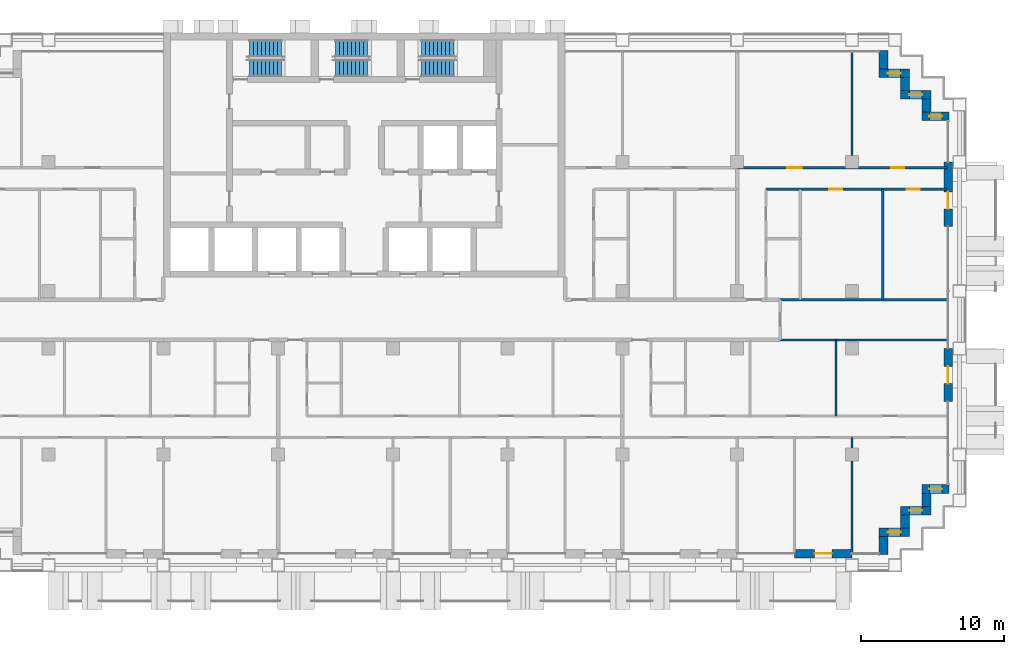
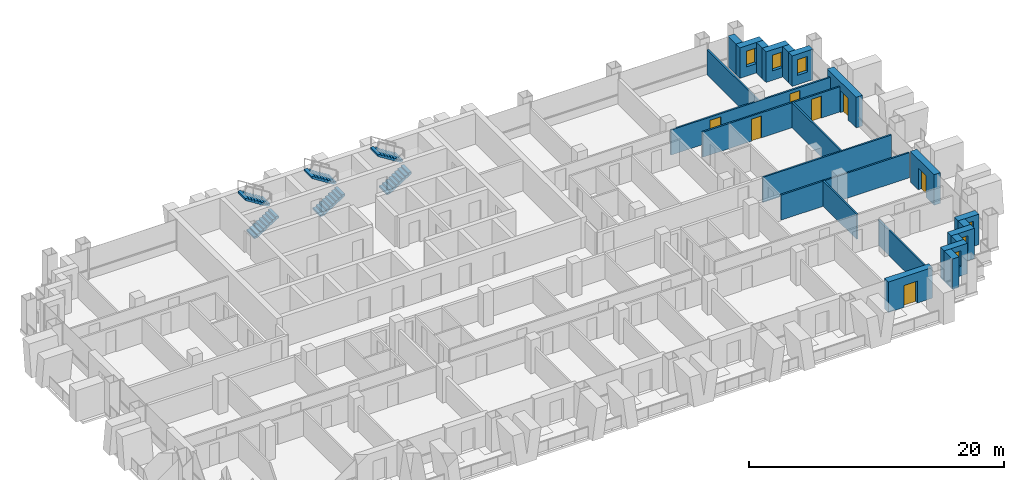
# One storey, part 13 of 17: 23 walls, 7 doors, 6 stair flights, 6 windows, 13 openings, 3 elements without a shape of their own.
"""IFC4 building model written with IfcOpenShell, lengths in metres."""

from ifc_helpers import new_model, si_unit, direction, frame, frame_2d, origin, place, context, subcontext, project, spatial, polyline, rectangle, outline, extrude, material, layer, layer_set, type_object, element, fill, aggregate, save


model = new_model("IFC4")

# Units and contexts
model_context = context("Model", 3, precision=1e-05, world=origin(), true_north=direction((0.0, 1.0)))
body_context = subcontext(model_context, "Body", "Model", "MODEL_VIEW")
ifc_project = project(units=[si_unit("LENGTHUNIT", "METRE"), si_unit("AREAUNIT", "SQUARE_METRE"), si_unit("VOLUMEUNIT", "CUBIC_METRE"), si_unit("PLANEANGLEUNIT", "RADIAN"), si_unit("MASSUNIT", "GRAM", prefix="KILO")], contexts=[model_context])

# Site, building, storey
site_placement = place(None, origin())
site = spatial("IfcSite", under=ifc_project, at=site_placement, CompositionType="ELEMENT")
building_placement = place(site_placement, origin())
building = spatial("IfcBuilding", under=site, at=building_placement, Name="Vidyagriha Tower", CompositionType="ELEMENT")
storey_placement = place(building_placement, frame((0.0, 0.0, 96.699951171875)))
storey = spatial("IfcBuildingStorey", under=building, at=storey_placement, Name="L25", CompositionType="ELEMENT", Elevation=96.699951171875)

# Wall, opening, window
ifc_material_1 = material(Name="Precast concrete C40/50 with brick facing", Category="concrete")
ifc_layer_1 = layer(ifc_material_1, 0.60009765625)
ifc_layer_set_1 = layer_set([ifc_layer_1], Name="Precast concrete C40/50 with brick facing")
wall_type_1 = type_object("IfcWallType", Name="Brick-faced precast wall 600", PredefinedType="STANDARD", material=ifc_layer_set_1)
wall_1_placement = place(storey_placement, frame((40.780029296875, 14.199951171875, 0.0), z_axis=(0.0, 0.0, 1.0), x_axis=(-1.0, 0.0, 0.0)))
wall_1 = element("IfcWall", 1, at=wall_1_placement, inside=storey, type_object=wall_type_1, Name="Stepped corner wall L25 R01", PredefinedType="STANDARD", context=body_context, shape_type="SweptSolid", body=[
    extrude(rectangle(XDim=1.880126953125, YDim=0.60009765625, at=frame_2d((0.93994140625, 0.0))), origin(), (0.0, 0.0, 1.0), 2.920166015625),
])
opening_1_placement = place(wall_1_placement, frame((0.489990234375, 0.0, 0.89990234375)))
opening_1 = element("IfcOpeningElement", 2, at=opening_1_placement, cuts=wall_1, Name="Opening WN1", PredefinedType="OPENING", context=body_context, shape_type="SweptSolid", body=[
    extrude(rectangle(XDim=0.89990234375, YDim=1.5, at=frame_2d((0.449951171875, 0.75))), frame((0.0, 0.31005859375, 0.0), z_axis=(0.0, -1.0, 0.0), x_axis=(1.0, 0.0, 0.0)), (0.0, 0.0, 1.0), 0.6201171875),
])
ifc_material_2 = material(Name="Aluminium and glass window", Category="aluminium")
window_type = type_object("IfcWindowType", Name="Reveal window 900x1500", PartitioningType="NOTDEFINED", PredefinedType="WINDOW", material=ifc_material_2)
window_1_placement = place(opening_1_placement, origin())
window_1 = element("IfcWindow", 3, at=window_1_placement, inside=storey, type_object=window_type, Name="Reveal window L25 R01", OverallHeight=1.5, OverallWidth=0.89990234375, PartitioningType="SINGLE_PANEL", PredefinedType="WINDOW", context=body_context, shape_type="SweptSolid", body=[
    extrude(rectangle(XDim=0.89990234375, YDim=1.5, at=frame_2d((0.449951171875, 0.75))), frame((0.0, 0.030029296875, 0.0), z_axis=(0.0, -1.0, 0.0), x_axis=(1.0, 0.0, 0.0)), (0.0, 0.0, 1.0), 0.06005859375),
])
fill(opening_1, window_1)

# Wall
wall_2_placement = place(storey_placement, frame((39.199951171875, 14.5, 0.0), z_axis=(0.0, 0.0, 1.0), x_axis=(0.0, 1.0, 0.0)))
element("IfcWall", 4, at=wall_2_placement, inside=storey, type_object=wall_type_1, Name="Stepped corner wall L25 R02", PredefinedType="STANDARD", context=body_context, shape_type="SweptSolid", body=[
    extrude(rectangle(XDim=0.89990234375, YDim=0.60009765625, at=frame_2d((0.449951171875, 0.0))), origin(), (0.0, 0.0, 1.0), 2.920166015625),
])

# Wall, opening, window
wall_3_placement = place(storey_placement, frame((39.5, 15.699951171875, 0.0), z_axis=(0.0, 0.0, 1.0), x_axis=(-1.0, 0.0, 0.0)))
wall_3 = element("IfcWall", 5, at=wall_3_placement, inside=storey, type_object=wall_type_1, Name="Stepped corner wall L25 R03", PredefinedType="STANDARD", context=body_context, shape_type="SweptSolid", body=[
    extrude(rectangle(XDim=2.10009765625, YDim=0.60009765625, at=frame_2d((1.050048828125, 0.0))), origin(), (0.0, 0.0, 1.0), 2.920166015625),
])
opening_2_placement = place(wall_3_placement, frame((0.60009765625, 0.0, 0.89990234375)))
opening_2 = element("IfcOpeningElement", 6, at=opening_2_placement, cuts=wall_3, Name="Opening WN1", PredefinedType="OPENING", context=body_context, shape_type="SweptSolid", body=[
    extrude(rectangle(XDim=0.89990234375, YDim=1.5, at=frame_2d((0.449951171875, 0.75))), frame((0.0, 0.31005859375, 0.0), z_axis=(0.0, -1.0, 0.0), x_axis=(1.0, 0.0, 0.0)), (0.0, 0.0, 1.0), 0.6201171875),
])
window_2_placement = place(opening_2_placement, origin())
window_2 = element("IfcWindow", 7, at=window_2_placement, inside=storey, type_object=window_type, Name="Reveal window L25 R03", OverallHeight=1.5, OverallWidth=0.89990234375, PartitioningType="SINGLE_PANEL", PredefinedType="WINDOW", context=body_context, shape_type="SweptSolid", body=[
    extrude(rectangle(XDim=0.89990234375, YDim=1.5, at=frame_2d((0.449951171875, 0.75))), frame((0.0, 0.030029296875, 0.0), z_axis=(0.0, -1.0, 0.0), x_axis=(1.0, 0.0, 0.0)), (0.0, 0.0, 1.0), 0.06005859375),
])
fill(opening_2, window_2)

# Wall
wall_4_placement = place(storey_placement, frame((37.699951171875, 16.0, 0.0), z_axis=(0.0, 0.0, 1.0), x_axis=(0.0, 1.0, 0.0)))
element("IfcWall", 8, at=wall_4_placement, inside=storey, type_object=wall_type_1, Name="Stepped corner wall L25 R04", PredefinedType="STANDARD", context=body_context, shape_type="SweptSolid", body=[
    extrude(rectangle(XDim=0.89990234375, YDim=0.60009765625, at=frame_2d((0.449951171875, 0.0))), origin(), (0.0, 0.0, 1.0), 2.920166015625),
])

# Wall, opening, window
wall_5_placement = place(storey_placement, frame((38.0, 17.199951171875, 0.0), z_axis=(0.0, 0.0, 1.0), x_axis=(-1.0, 0.0, 0.0)))
wall_5 = element("IfcWall", 9, at=wall_5_placement, inside=storey, type_object=wall_type_1, Name="Stepped corner wall L25 R05", PredefinedType="STANDARD", context=body_context, shape_type="SweptSolid", body=[
    extrude(rectangle(XDim=2.10009765625, YDim=0.60009765625, at=frame_2d((1.050048828125, 0.0))), origin(), (0.0, 0.0, 1.0), 2.920166015625),
])
opening_3_placement = place(wall_5_placement, frame((0.60009765625, 0.0, 0.89990234375)))
opening_3 = element("IfcOpeningElement", 10, at=opening_3_placement, cuts=wall_5, Name="Opening WN1", PredefinedType="OPENING", context=body_context, shape_type="SweptSolid", body=[
    extrude(rectangle(XDim=0.89990234375, YDim=1.5, at=frame_2d((0.449951171875, 0.75))), frame((0.0, 0.31005859375, 0.0), z_axis=(0.0, -1.0, 0.0), x_axis=(1.0, 0.0, 0.0)), (0.0, 0.0, 1.0), 0.6201171875),
])
window_3_placement = place(opening_3_placement, origin())
window_3 = element("IfcWindow", 11, at=window_3_placement, inside=storey, type_object=window_type, Name="Reveal window L25 R05", OverallHeight=1.5, OverallWidth=0.89990234375, PartitioningType="SINGLE_PANEL", PredefinedType="WINDOW", context=body_context, shape_type="SweptSolid", body=[
    extrude(rectangle(XDim=0.89990234375, YDim=1.5, at=frame_2d((0.449951171875, 0.75))), frame((0.0, 0.030029296875, 0.0), z_axis=(0.0, -1.0, 0.0), x_axis=(1.0, 0.0, 0.0)), (0.0, 0.0, 1.0), 0.06005859375),
])
fill(opening_3, window_3)

# Wall
wall_6_placement = place(storey_placement, frame((36.199951171875, 17.5, 0.0), z_axis=(0.0, 0.0, 1.0), x_axis=(0.0, 1.0, 0.0)))
element("IfcWall", 12, at=wall_6_placement, inside=storey, type_object=wall_type_1, Name="Stepped corner wall L25 R06", PredefinedType="STANDARD", context=body_context, shape_type="SweptSolid", body=[
    extrude(rectangle(XDim=1.280029296875, YDim=0.60009765625, at=frame_2d((0.64013671875, 0.0))), origin(), (0.0, 0.0, 1.0), 2.920166015625),
])

# Wall, opening, door
wall_7_placement = place(storey_placement, frame((30.0, -16.300048828125, 0.0)))
wall_7 = element("IfcWall", 13, at=wall_7_placement, inside=storey, type_object=wall_type_1, Name="Brick door bay wall L25 R23.15", PredefinedType="STANDARD", context=body_context, shape_type="SweptSolid", body=[
    extrude(rectangle(XDim=4.0, YDim=0.60009765625, at=frame_2d((2.0, 0.0))), origin(), (0.0, 0.0, 1.0), 2.920166015625),
])
opening_4_placement = place(wall_7_placement, frame((1.39990234375, 0.0, 0.0)))
opening_4 = element("IfcOpeningElement", 14, at=opening_4_placement, cuts=wall_7, Name="Opening D25-74", PredefinedType="OPENING", context=body_context, shape_type="SweptSolid", body=[
    extrude(rectangle(XDim=1.199951171875, YDim=2.10009765625, at=frame_2d((0.60009765625, 1.050048828125))), frame((0.0, 0.31005859375, 0.0), z_axis=(0.0, -1.0, 0.0), x_axis=(1.0, 0.0, 0.0)), (0.0, 0.0, 1.0), 0.6201171875),
])
ifc_material_3 = material(Name="Aluminium framed glazed sliding door", Category="aluminium")
door_type_1 = type_object("IfcDoorType", Name="Balcony sliding door 1200x2100", OperationType="NOTDEFINED", PredefinedType="DOOR", material=ifc_material_3)
door_1_placement = place(opening_4_placement, origin())
door_1 = element("IfcDoor", 15, at=door_1_placement, inside=storey, type_object=door_type_1, Name="Door D25-74", OperationType="SLIDING_TO_LEFT", OverallHeight=2.10009765625, OverallWidth=1.199951171875, PredefinedType="DOOR", context=body_context, shape_type="SweptSolid", body=[
    extrude(rectangle(XDim=1.199951171875, YDim=2.10009765625, at=frame_2d((0.60009765625, 1.050048828125))), frame((0.0, 0.02490234375, 0.0), z_axis=(0.0, -1.0, 0.0), x_axis=(1.0, 0.0, 0.0)), (0.0, 0.0, 1.0), 0.050048828125),
])
fill(opening_4, door_1)

# Wall
wall_8_placement = place(storey_placement, frame((36.199951171875, -16.3798828125, 0.0), z_axis=(0.0, 0.0, 1.0), x_axis=(0.0, 1.0, 0.0)))
element("IfcWall", 16, at=wall_8_placement, inside=storey, type_object=wall_type_1, Name="Stepped corner wall L25 R24", PredefinedType="STANDARD", context=body_context, shape_type="SweptSolid", body=[
    extrude(rectangle(XDim=1.27978515625, YDim=0.60009765625, at=frame_2d((0.639892578125, 0.0))), origin(), (0.0, 0.0, 1.0), 2.920166015625),
])

# Wall, opening, window
wall_9_placement = place(storey_placement, frame((35.89990234375, -14.800048828125, 0.0)))
wall_9 = element("IfcWall", 17, at=wall_9_placement, inside=storey, type_object=wall_type_1, Name="Stepped corner wall L25 R25", PredefinedType="STANDARD", context=body_context, shape_type="SweptSolid", body=[
    extrude(rectangle(XDim=2.10009765625, YDim=0.60009765625, at=frame_2d((1.050048828125, 0.0))), origin(), (0.0, 0.0, 1.0), 2.920166015625),
])
opening_5_placement = place(wall_9_placement, frame((0.60009765625, 0.0, 0.89990234375)))
opening_5 = element("IfcOpeningElement", 18, at=opening_5_placement, cuts=wall_9, Name="Opening WN1", PredefinedType="OPENING", context=body_context, shape_type="SweptSolid", body=[
    extrude(rectangle(XDim=0.89990234375, YDim=1.5, at=frame_2d((0.449951171875, 0.75))), frame((0.0, 0.31005859375, 0.0), z_axis=(0.0, -1.0, 0.0), x_axis=(1.0, 0.0, 0.0)), (0.0, 0.0, 1.0), 0.6201171875),
])
window_4_placement = place(opening_5_placement, origin())
window_4 = element("IfcWindow", 19, at=window_4_placement, inside=storey, type_object=window_type, Name="Reveal window L25 R25", OverallHeight=1.5, OverallWidth=0.89990234375, PartitioningType="SINGLE_PANEL", PredefinedType="WINDOW", context=body_context, shape_type="SweptSolid", body=[
    extrude(rectangle(XDim=0.89990234375, YDim=1.5, at=frame_2d((0.449951171875, 0.75))), frame((0.0, 0.030029296875, 0.0), z_axis=(0.0, -1.0, 0.0), x_axis=(1.0, 0.0, 0.0)), (0.0, 0.0, 1.0), 0.06005859375),
])
fill(opening_5, window_4)

# Wall
wall_10_placement = place(storey_placement, frame((37.699951171875, -14.5, 0.0), z_axis=(0.0, 0.0, 1.0), x_axis=(0.0, 1.0, 0.0)))
element("IfcWall", 20, at=wall_10_placement, inside=storey, type_object=wall_type_1, Name="Stepped corner wall L25 R26", PredefinedType="STANDARD", context=body_context, shape_type="SweptSolid", body=[
    extrude(rectangle(XDim=0.89990234375, YDim=0.60009765625, at=frame_2d((0.449951171875, 0.0))), origin(), (0.0, 0.0, 1.0), 2.920166015625),
])

# Wall, opening, window
wall_11_placement = place(storey_placement, frame((37.39990234375, -13.300048828125, 0.0)))
wall_11 = element("IfcWall", 21, at=wall_11_placement, inside=storey, type_object=wall_type_1, Name="Stepped corner wall L25 R27", PredefinedType="STANDARD", context=body_context, shape_type="SweptSolid", body=[
    extrude(rectangle(XDim=2.10009765625, YDim=0.60009765625, at=frame_2d((1.050048828125, 0.0))), origin(), (0.0, 0.0, 1.0), 2.920166015625),
])
opening_6_placement = place(wall_11_placement, frame((0.60009765625, 0.0, 0.89990234375)))
opening_6 = element("IfcOpeningElement", 22, at=opening_6_placement, cuts=wall_11, Name="Opening WN1", PredefinedType="OPENING", context=body_context, shape_type="SweptSolid", body=[
    extrude(rectangle(XDim=0.89990234375, YDim=1.5, at=frame_2d((0.449951171875, 0.75))), frame((0.0, 0.31005859375, 0.0), z_axis=(0.0, -1.0, 0.0), x_axis=(1.0, 0.0, 0.0)), (0.0, 0.0, 1.0), 0.6201171875),
])
window_5_placement = place(opening_6_placement, origin())
window_5 = element("IfcWindow", 23, at=window_5_placement, inside=storey, type_object=window_type, Name="Reveal window L25 R27", OverallHeight=1.5, OverallWidth=0.89990234375, PartitioningType="SINGLE_PANEL", PredefinedType="WINDOW", context=body_context, shape_type="SweptSolid", body=[
    extrude(rectangle(XDim=0.89990234375, YDim=1.5, at=frame_2d((0.449951171875, 0.75))), frame((0.0, 0.030029296875, 0.0), z_axis=(0.0, -1.0, 0.0), x_axis=(1.0, 0.0, 0.0)), (0.0, 0.0, 1.0), 0.06005859375),
])
fill(opening_6, window_5)

# Wall
wall_12_placement = place(storey_placement, frame((39.199951171875, -13.0, 0.0), z_axis=(0.0, 0.0, 1.0), x_axis=(0.0, 1.0, 0.0)))
element("IfcWall", 24, at=wall_12_placement, inside=storey, type_object=wall_type_1, Name="Stepped corner wall L25 R28", PredefinedType="STANDARD", context=body_context, shape_type="SweptSolid", body=[
    extrude(rectangle(XDim=0.89990234375, YDim=0.60009765625, at=frame_2d((0.449951171875, 0.0))), origin(), (0.0, 0.0, 1.0), 2.920166015625),
])

# Wall, opening, window
wall_13_placement = place(storey_placement, frame((38.89990234375, -11.800048828125, 0.0)))
wall_13 = element("IfcWall", 25, at=wall_13_placement, inside=storey, type_object=wall_type_1, Name="Stepped corner wall L25 R29", PredefinedType="STANDARD", context=body_context, shape_type="SweptSolid", body=[
    extrude(rectangle(XDim=1.880126953125, YDim=0.60009765625, at=frame_2d((0.93994140625, 0.0))), origin(), (0.0, 0.0, 1.0), 2.920166015625),
])
opening_7_placement = place(wall_13_placement, frame((0.489990234375, 0.0, 0.89990234375)))
opening_7 = element("IfcOpeningElement", 26, at=opening_7_placement, cuts=wall_13, Name="Opening WN1", PredefinedType="OPENING", context=body_context, shape_type="SweptSolid", body=[
    extrude(rectangle(XDim=0.89990234375, YDim=1.5, at=frame_2d((0.449951171875, 0.75))), frame((0.0, 0.31005859375, 0.0), z_axis=(0.0, -1.0, 0.0), x_axis=(1.0, 0.0, 0.0)), (0.0, 0.0, 1.0), 0.6201171875),
])
window_6_placement = place(opening_7_placement, origin())
window_6 = element("IfcWindow", 27, at=window_6_placement, inside=storey, type_object=window_type, Name="Reveal window L25 R29", OverallHeight=1.5, OverallWidth=0.89990234375, PartitioningType="SINGLE_PANEL", PredefinedType="WINDOW", context=body_context, shape_type="SweptSolid", body=[
    extrude(rectangle(XDim=0.89990234375, YDim=1.5, at=frame_2d((0.449951171875, 0.75))), frame((0.0, 0.030029296875, 0.0), z_axis=(0.0, -1.0, 0.0), x_axis=(1.0, 0.0, 0.0)), (0.0, 0.0, 1.0), 0.06005859375),
])
fill(opening_7, window_6)

# Wall, opening, door
wall_14_placement = place(storey_placement, frame((40.699951171875, -5.699951171875, 0.0), z_axis=(0.0, 0.0, 1.0), x_axis=(0.0, 1.0, 0.0)))
wall_14 = element("IfcWall", 28, at=wall_14_placement, inside=storey, type_object=wall_type_1, Name="Brick door bay wall L25 R30.3", PredefinedType="STANDARD", context=body_context, shape_type="SweptSolid", body=[
    extrude(rectangle(XDim=3.699951171875, YDim=0.60009765625, at=frame_2d((1.85009765625, 0.0))), origin(), (0.0, 0.0, 1.0), 2.920166015625),
])
opening_8_placement = place(wall_14_placement, frame((1.25, 0.0, 0.0)))
opening_8 = element("IfcOpeningElement", 29, at=opening_8_placement, cuts=wall_14, Name="Opening D25-75", PredefinedType="OPENING", context=body_context, shape_type="SweptSolid", body=[
    extrude(rectangle(XDim=1.199951171875, YDim=2.10009765625, at=frame_2d((0.60009765625, 1.050048828125))), frame((0.0, 0.31005859375, 0.0), z_axis=(0.0, -1.0, 0.0), x_axis=(1.0, 0.0, 0.0)), (0.0, 0.0, 1.0), 0.6201171875),
])
door_2_placement = place(opening_8_placement, origin())
door_2 = element("IfcDoor", 30, at=door_2_placement, inside=storey, type_object=door_type_1, Name="Door D25-75", OperationType="SLIDING_TO_LEFT", OverallHeight=2.10009765625, OverallWidth=1.199951171875, PredefinedType="DOOR", context=body_context, shape_type="SweptSolid", body=[
    extrude(rectangle(XDim=1.199951171875, YDim=2.10009765625, at=frame_2d((0.60009765625, 1.050048828125))), frame((0.0, 0.02490234375, 0.0), z_axis=(0.0, -1.0, 0.0), x_axis=(1.0, 0.0, 0.0)), (0.0, 0.0, 1.0), 0.050048828125),
])
fill(opening_8, door_2)

wall_15_placement = place(storey_placement, frame((40.699951171875, 6.5, 0.0), z_axis=(0.0, 0.0, 1.0), x_axis=(0.0, 1.0, 0.0)))
wall_15 = element("IfcWall", 31, at=wall_15_placement, inside=storey, type_object=wall_type_1, Name="Brick door bay wall L25 R30.6", PredefinedType="STANDARD", context=body_context, shape_type="SweptSolid", body=[
    extrude(rectangle(XDim=4.5, YDim=0.60009765625, at=frame_2d((2.25, 0.0))), origin(), (0.0, 0.0, 1.0), 2.920166015625),
])
opening_9_placement = place(wall_15_placement, frame((1.22509765625, 0.0, 0.0)))
opening_9 = element("IfcOpeningElement", 32, at=opening_9_placement, cuts=wall_15, Name="Opening D25-76", PredefinedType="OPENING", context=body_context, shape_type="SweptSolid", body=[
    extrude(rectangle(XDim=1.199951171875, YDim=2.10009765625, at=frame_2d((0.60009765625, 1.050048828125))), frame((0.0, 0.31005859375, 0.0), z_axis=(0.0, -1.0, 0.0), x_axis=(1.0, 0.0, 0.0)), (0.0, 0.0, 1.0), 0.6201171875),
])
door_3_placement = place(opening_9_placement, origin())
door_3 = element("IfcDoor", 33, at=door_3_placement, inside=storey, type_object=door_type_1, Name="Door D25-76", OperationType="SLIDING_TO_LEFT", OverallHeight=2.10009765625, OverallWidth=1.199951171875, PredefinedType="DOOR", context=body_context, shape_type="SweptSolid", body=[
    extrude(rectangle(XDim=1.199951171875, YDim=2.10009765625, at=frame_2d((0.60009765625, 1.050048828125))), frame((0.0, 0.02490234375, 0.0), z_axis=(0.0, -1.0, 0.0), x_axis=(1.0, 0.0, 0.0)), (0.0, 0.0, 1.0), 0.050048828125),
])
fill(opening_9, door_3)

# Walls
ifc_material_4 = material(Name="Gypsum board partition")
ifc_layer_2 = layer(ifc_material_4, 0.14990234375)
ifc_layer_set_2 = layer_set([ifc_layer_2], Name="Gypsum board partition")
wall_type_2 = type_object("IfcWallType", Name="Gypsum board partition 150", PredefinedType="PARTITIONING", material=ifc_layer_set_2)
wall_16_placement = place(storey_placement, frame((32.89990234375, -1.39990234375, 0.0), z_axis=(0.0, 0.0, 1.0), x_axis=(0.0, -1.0, 0.0)))
element("IfcWall", 34, at=wall_16_placement, inside=storey, type_object=wall_type_2, Name="Wall all-L25-w050", PredefinedType="PARTITIONING", context=body_context, shape_type="SweptSolid", body=[
    extrude(rectangle(XDim=5.300048828125, YDim=0.14990234375, at=frame_2d((2.64990234375, 0.0))), origin(), (0.0, 0.0, 1.0), 2.400146484375),
])
wall_17_placement = place(storey_placement, frame((34.0, -8.199951171875, 0.0), z_axis=(0.0, 0.0, 1.0), x_axis=(0.0, -1.0, 0.0)))
element("IfcWall", 35, at=wall_17_placement, inside=storey, type_object=wall_type_2, Name="Wall all-L25-w062", PredefinedType="PARTITIONING", context=body_context, shape_type="SweptSolid", body=[
    extrude(rectangle(XDim=8.010009765625, YDim=0.14990234375, at=frame_2d((4.0048828125, 0.0))), origin(), (0.0, 0.0, 1.0), 2.400146484375),
])
wall_18_placement = place(storey_placement, frame((40.6201171875, -1.39990234375, 0.0), z_axis=(0.0, 0.0, 1.0), x_axis=(-1.0, 0.0, 0.0)))
element("IfcWall", 36, at=wall_18_placement, inside=storey, type_object=wall_type_2, Name="Wall all-L25-w067", PredefinedType="PARTITIONING", context=body_context, shape_type="SweptSolid", body=[
    extrude(rectangle(XDim=11.6201171875, YDim=0.14990234375, at=frame_2d((5.81005859375, 0.0))), origin(), (0.0, 0.0, 1.0), 2.400146484375),
])
wall_19_placement = place(storey_placement, frame((36.14990234375, 9.10009765625, 0.0), z_axis=(0.0, 0.0, 1.0), x_axis=(0.0, -1.0, 0.0)))
element("IfcWall", 37, at=wall_19_placement, inside=storey, type_object=wall_type_2, Name="Wall all-L25-w102", PredefinedType="PARTITIONING", context=body_context, shape_type="SweptSolid", body=[
    extrude(rectangle(XDim=7.7001953125, YDim=0.14990234375, at=frame_2d((3.85009765625, 0.0))), origin(), (0.0, 0.0, 1.0), 2.400146484375),
])

# Wall, openings, doors
wall_20_placement = place(storey_placement, frame((40.610107421875, 9.10009765625, 0.0), z_axis=(0.0, 0.0, 1.0), x_axis=(-1.0, 0.0, 0.0)))
wall_20 = element("IfcWall", 38, at=wall_20_placement, inside=storey, type_object=wall_type_2, Name="Wall all-L25-w103", PredefinedType="PARTITIONING", context=body_context, shape_type="SweptSolid", body=[
    extrude(rectangle(XDim=12.610107421875, YDim=0.14990234375, at=frame_2d((6.30517578125, 0.0))), origin(), (0.0, 0.0, 1.0), 2.400146484375),
])
opening_10_placement = place(wall_20_placement, frame((7.299072265625, 0.0, 0.0)))
opening_10 = element("IfcOpeningElement", 39, at=opening_10_placement, cuts=wall_20, Name="Opening D25-60", PredefinedType="OPENING", context=body_context, shape_type="SweptSolid", body=[
    extrude(rectangle(XDim=0.89990234375, YDim=2.10009765625, at=frame_2d((0.449951171875, 1.050048828125))), frame((0.0, 0.0849609375, 0.0), z_axis=(0.0, -1.0, 0.0), x_axis=(1.0, 0.0, 0.0)), (0.0, 0.0, 1.0), 0.169921875),
])
opening_11_placement = place(wall_20_placement, frame((1.885009765625, 0.0, 0.0)))
opening_11 = element("IfcOpeningElement", 40, at=opening_11_placement, cuts=wall_20, Name="Opening D25-61", PredefinedType="OPENING", context=body_context, shape_type="SweptSolid", body=[
    extrude(rectangle(XDim=0.89990234375, YDim=2.10009765625, at=frame_2d((0.449951171875, 1.050048828125))), frame((0.0, 0.0849609375, 0.0), z_axis=(0.0, -1.0, 0.0), x_axis=(1.0, 0.0, 0.0)), (0.0, 0.0, 1.0), 0.169921875),
])
ifc_material_5 = material(Name="Timber door leaf", Category="wood")
door_type_2 = type_object("IfcDoorType", Name="Room door 900x2100", OperationType="NOTDEFINED", PredefinedType="DOOR", material=ifc_material_5)
door_4_placement = place(opening_10_placement, origin())
door_4 = element("IfcDoor", 41, at=door_4_placement, inside=storey, type_object=door_type_2, Name="Door D25-60", OperationType="SINGLE_SWING_RIGHT", OverallHeight=2.10009765625, OverallWidth=0.89990234375, PredefinedType="DOOR", context=body_context, shape_type="SweptSolid", body=[
    extrude(rectangle(XDim=0.89990234375, YDim=2.10009765625, at=frame_2d((0.449951171875, 1.050048828125))), frame((0.0, 0.02490234375, 0.0), z_axis=(0.0, -1.0, 0.0), x_axis=(1.0, 0.0, 0.0)), (0.0, 0.0, 1.0), 0.050048828125),
])
fill(opening_10, door_4)
door_5_placement = place(opening_11_placement, origin())
door_5 = element("IfcDoor", 42, at=door_5_placement, inside=storey, type_object=door_type_2, Name="Door D25-61", OperationType="SINGLE_SWING_RIGHT", OverallHeight=2.10009765625, OverallWidth=0.89990234375, PredefinedType="DOOR", context=body_context, shape_type="SweptSolid", body=[
    extrude(rectangle(XDim=0.89990234375, YDim=2.10009765625, at=frame_2d((0.449951171875, 1.050048828125))), frame((0.0, 0.02490234375, 0.0), z_axis=(0.0, -1.0, 0.0), x_axis=(1.0, 0.0, 0.0)), (0.0, 0.0, 1.0), 0.050048828125),
])
fill(opening_11, door_5)

wall_21_placement = place(storey_placement, frame((26.0, 10.60009765625, 0.0)))
wall_21 = element("IfcWall", 43, at=wall_21_placement, inside=storey, type_object=wall_type_2, Name="Wall all-L25-w106", PredefinedType="PARTITIONING", context=body_context, shape_type="SweptSolid", body=[
    extrude(rectangle(XDim=14.610107421875, YDim=0.14990234375, at=frame_2d((7.30517578125, 0.0))), origin(), (0.0, 0.0, 1.0), 2.400146484375),
])
opening_12_placement = place(wall_21_placement, frame((3.5, 0.0, 0.0)))
opening_12 = element("IfcOpeningElement", 44, at=opening_12_placement, cuts=wall_21, Name="Opening D25-62", PredefinedType="OPENING", context=body_context, shape_type="SweptSolid", body=[
    extrude(rectangle(XDim=1.0, YDim=2.10009765625, at=frame_2d((0.5, 1.050048828125))), frame((0.0, 0.0849609375, 0.0), z_axis=(0.0, -1.0, 0.0), x_axis=(1.0, 0.0, 0.0)), (0.0, 0.0, 1.0), 0.169921875),
])
opening_13_placement = place(wall_21_placement, frame((10.75, 0.0, 0.0)))
opening_13 = element("IfcOpeningElement", 45, at=opening_13_placement, cuts=wall_21, Name="Opening D25-63", PredefinedType="OPENING", context=body_context, shape_type="SweptSolid", body=[
    extrude(rectangle(XDim=0.89990234375, YDim=2.10009765625, at=frame_2d((0.449951171875, 1.050048828125))), frame((0.0, 0.0849609375, 0.0), z_axis=(0.0, -1.0, 0.0), x_axis=(1.0, 0.0, 0.0)), (0.0, 0.0, 1.0), 0.169921875),
])
ifc_material_6 = material(Name="Timber door leaf", Category="wood")
door_type_3 = type_object("IfcDoorType", Name="Room door 1000x2100", OperationType="NOTDEFINED", PredefinedType="DOOR", material=ifc_material_6)
door_6_placement = place(opening_12_placement, origin())
door_6 = element("IfcDoor", 46, at=door_6_placement, inside=storey, type_object=door_type_3, Name="Door D25-62", OperationType="SINGLE_SWING_RIGHT", OverallHeight=2.10009765625, OverallWidth=1.0, PredefinedType="DOOR", context=body_context, shape_type="SweptSolid", body=[
    extrude(rectangle(XDim=1.0, YDim=2.10009765625, at=frame_2d((0.5, 1.050048828125))), frame((0.0, 0.02490234375, 0.0), z_axis=(0.0, -1.0, 0.0), x_axis=(1.0, 0.0, 0.0)), (0.0, 0.0, 1.0), 0.050048828125),
])
fill(opening_12, door_6)
door_7_placement = place(opening_13_placement, origin())
door_7 = element("IfcDoor", 47, at=door_7_placement, inside=storey, type_object=door_type_2, Name="Door D25-63", OperationType="SINGLE_SWING_RIGHT", OverallHeight=2.10009765625, OverallWidth=0.89990234375, PredefinedType="DOOR", context=body_context, shape_type="SweptSolid", body=[
    extrude(rectangle(XDim=0.89990234375, YDim=2.10009765625, at=frame_2d((0.449951171875, 1.050048828125))), frame((0.0, 0.02490234375, 0.0), z_axis=(0.0, -1.0, 0.0), x_axis=(1.0, 0.0, 0.0)), (0.0, 0.0, 1.0), 0.050048828125),
])
fill(opening_13, door_7)

# Walls
wall_22_placement = place(storey_placement, frame((34.0, 18.62109375, 0.0), z_axis=(0.0, 0.0, 1.0), x_axis=(0.0, -1.0, 0.0)))
element("IfcWall", 48, at=wall_22_placement, inside=storey, type_object=wall_type_2, Name="Wall all-L25-w109", PredefinedType="PARTITIONING", context=body_context, shape_type="SweptSolid", body=[
    extrude(rectangle(XDim=8.02099609375, YDim=0.14990234375, at=frame_2d((4.010498046875, 0.0))), origin(), (0.0, 0.0, 1.0), 2.400146484375),
])
wall_23_placement = place(storey_placement, frame((29.0, 1.39990234375, 0.0)))
element("IfcWall", 49, at=wall_23_placement, inside=storey, type_object=wall_type_2, Name="Wall all-L25-w113", PredefinedType="PARTITIONING", context=body_context, shape_type="SweptSolid", body=[
    extrude(rectangle(XDim=11.6201171875, YDim=0.14990234375, at=frame_2d((5.81005859375, 0.0))), origin(), (0.0, 0.0, 1.0), 2.400146484375),
])

# Stair, stair flights
ifc_material_7 = material(Name="Concrete C40/50", Category="concrete")
stair_type = type_object("IfcStairType", Name="Exit stair, half-turn, precast flights", PredefinedType="HALF_TURN_STAIR", material=ifc_material_7)
stair_1_placement = place(storey_placement, origin())
stair_1 = element("IfcStair", 50, at=stair_1_placement, inside=storey, type_object=stair_type, Name="L25 Exit Stair ST1", PredefinedType="HALF_TURN_STAIR")
ifc_material_8 = material(Name="Precast concrete C40/50", Category="concrete")
stair_flight_type = type_object("IfcStairFlightType", Name="Exit stair flight 1200 mm, precast", PredefinedType="STRAIGHT", material=ifc_material_8)
stair_flight_1_placement = place(storey_placement, frame((-8.0, 17.550048828125, 0.0)))
stair_flight_1 = element("IfcStairFlight", 51, at=stair_flight_1_placement, type_object=stair_flight_type, Name="ST1 flight 1", NumberOfRisers=9, NumberOfTreads=8, PredefinedType="STRAIGHT", RiserHeight=0.177777778, TreadLength=0.28, context=body_context, shape_type="SweptSolid", body=[
    extrude(outline(polyline([(0.0, 0.0), (0.0, 0.177734375), (0.280029296875, 0.177734375), (0.280029296875, 0.35546875), (0.56005859375, 0.35546875), (0.56005859375, 0.533447265625), (0.840087890625, 0.533447265625), (0.840087890625, 0.711181640625), (1.1201171875, 0.711181640625), (1.1201171875, 0.888916015625), (1.39990234375, 0.888916015625), (1.39990234375, 1.066650390625), (1.679931640625, 1.066650390625), (1.679931640625, 1.244384765625), (1.9599609375, 1.244384765625), (1.9599609375, 1.422119140625), (2.239990234375, 1.422119140625), (2.239990234375, 1.60009765625), (2.239990234375, 1.24462890625), (0.27978515625, 0.0), (0.0, 0.0)])), frame((0.0, 0.60009765625, 0.0), z_axis=(0.0, -1.0, 0.0), x_axis=(1.0, 0.0, 0.0)), (0.0, 0.0, 1.0), 1.199951171875),
])
stair_flight_2_placement = place(storey_placement, frame((-5.760009765625, 18.89990234375, 1.60009765625), z_axis=(0.0, 0.0, 1.0), x_axis=(-1.0, 0.0, 0.0)))
stair_flight_2 = element("IfcStairFlight", 52, at=stair_flight_2_placement, type_object=stair_flight_type, Name="ST1 flight 2", NumberOfRisers=9, NumberOfTreads=8, PredefinedType="STRAIGHT", RiserHeight=0.177777778, TreadLength=0.28, context=body_context, shape_type="SweptSolid", body=[
    extrude(outline(polyline([(0.0, 0.0), (0.0, 0.177734375), (0.280029296875, 0.177734375), (0.280029296875, 0.35546875), (0.56005859375, 0.35546875), (0.56005859375, 0.533447265625), (0.840087890625, 0.533447265625), (0.840087890625, 0.711181640625), (1.1201171875, 0.711181640625), (1.1201171875, 0.888916015625), (1.39990234375, 0.888916015625), (1.39990234375, 1.066650390625), (1.679931640625, 1.066650390625), (1.679931640625, 1.244384765625), (1.9599609375, 1.244384765625), (1.9599609375, 1.422119140625), (2.239990234375, 1.422119140625), (2.239990234375, 1.60009765625), (2.239990234375, 1.24462890625), (0.27978515625, 0.0), (0.0, 0.0)])), frame((0.0, 0.60009765625, 0.0), z_axis=(0.0, -1.0, 0.0), x_axis=(1.0, 0.0, 0.0)), (0.0, 0.0, 1.0), 1.199951171875),
])
aggregate(stair_1, [stair_flight_1, stair_flight_2])

stair_2_placement = place(storey_placement, origin())
stair_2 = element("IfcStair", 53, at=stair_2_placement, inside=storey, type_object=stair_type, Name="L25 Exit Stair ST2", PredefinedType="HALF_TURN_STAIR")
stair_flight_3_placement = place(storey_placement, frame((-2.0, 17.550048828125, 0.0)))
stair_flight_3 = element("IfcStairFlight", 54, at=stair_flight_3_placement, type_object=stair_flight_type, Name="ST2 flight 1", NumberOfRisers=9, NumberOfTreads=8, PredefinedType="STRAIGHT", RiserHeight=0.177777778, TreadLength=0.28, context=body_context, shape_type="SweptSolid", body=[
    extrude(outline(polyline([(0.0, 0.0), (0.0, 0.177734375), (0.280029296875, 0.177734375), (0.280029296875, 0.35546875), (0.56005859375, 0.35546875), (0.56005859375, 0.533447265625), (0.840087890625, 0.533447265625), (0.840087890625, 0.711181640625), (1.1201171875, 0.711181640625), (1.1201171875, 0.888916015625), (1.39990234375, 0.888916015625), (1.39990234375, 1.066650390625), (1.679931640625, 1.066650390625), (1.679931640625, 1.244384765625), (1.9599609375, 1.244384765625), (1.9599609375, 1.422119140625), (2.239990234375, 1.422119140625), (2.239990234375, 1.60009765625), (2.239990234375, 1.24462890625), (0.27978515625, 0.0), (0.0, 0.0)])), frame((0.0, 0.60009765625, 0.0), z_axis=(0.0, -1.0, 0.0), x_axis=(1.0, 0.0, 0.0)), (0.0, 0.0, 1.0), 1.199951171875),
])
stair_flight_4_placement = place(storey_placement, frame((0.239990234375, 18.89990234375, 1.60009765625), z_axis=(0.0, 0.0, 1.0), x_axis=(-1.0, 0.0, 0.0)))
stair_flight_4 = element("IfcStairFlight", 55, at=stair_flight_4_placement, type_object=stair_flight_type, Name="ST2 flight 2", NumberOfRisers=9, NumberOfTreads=8, PredefinedType="STRAIGHT", RiserHeight=0.177777778, TreadLength=0.28, context=body_context, shape_type="SweptSolid", body=[
    extrude(outline(polyline([(0.0, 0.0), (0.0, 0.177734375), (0.280029296875, 0.177734375), (0.280029296875, 0.35546875), (0.56005859375, 0.35546875), (0.56005859375, 0.533447265625), (0.840087890625, 0.533447265625), (0.840087890625, 0.711181640625), (1.1201171875, 0.711181640625), (1.1201171875, 0.888916015625), (1.39990234375, 0.888916015625), (1.39990234375, 1.066650390625), (1.679931640625, 1.066650390625), (1.679931640625, 1.244384765625), (1.9599609375, 1.244384765625), (1.9599609375, 1.422119140625), (2.239990234375, 1.422119140625), (2.239990234375, 1.60009765625), (2.239990234375, 1.24462890625), (0.27978515625, 0.0), (0.0, 0.0)])), frame((0.0, 0.60009765625, 0.0), z_axis=(0.0, -1.0, 0.0), x_axis=(1.0, 0.0, 0.0)), (0.0, 0.0, 1.0), 1.199951171875),
])
aggregate(stair_2, [stair_flight_3, stair_flight_4])

stair_3_placement = place(storey_placement, origin())
stair_3 = element("IfcStair", 56, at=stair_3_placement, inside=storey, type_object=stair_type, Name="L25 Exit Stair ST3", PredefinedType="HALF_TURN_STAIR")
stair_flight_5_placement = place(storey_placement, frame((4.0, 17.550048828125, 0.0)))
stair_flight_5 = element("IfcStairFlight", 57, at=stair_flight_5_placement, type_object=stair_flight_type, Name="ST3 flight 1", NumberOfRisers=9, NumberOfTreads=8, PredefinedType="STRAIGHT", RiserHeight=0.177777778, TreadLength=0.28, context=body_context, shape_type="SweptSolid", body=[
    extrude(outline(polyline([(0.0, 0.0), (0.0, 0.177734375), (0.280029296875, 0.177734375), (0.280029296875, 0.35546875), (0.56005859375, 0.35546875), (0.56005859375, 0.533447265625), (0.840087890625, 0.533447265625), (0.840087890625, 0.711181640625), (1.1201171875, 0.711181640625), (1.1201171875, 0.888916015625), (1.39990234375, 0.888916015625), (1.39990234375, 1.066650390625), (1.679931640625, 1.066650390625), (1.679931640625, 1.244384765625), (1.9599609375, 1.244384765625), (1.9599609375, 1.422119140625), (2.239990234375, 1.422119140625), (2.239990234375, 1.60009765625), (2.239990234375, 1.24462890625), (0.27978515625, 0.0), (0.0, 0.0)])), frame((0.0, 0.60009765625, 0.0), z_axis=(0.0, -1.0, 0.0), x_axis=(1.0, 0.0, 0.0)), (0.0, 0.0, 1.0), 1.199951171875),
])
stair_flight_6_placement = place(storey_placement, frame((6.239990234375, 18.89990234375, 1.60009765625), z_axis=(0.0, 0.0, 1.0), x_axis=(-1.0, 0.0, 0.0)))
stair_flight_6 = element("IfcStairFlight", 58, at=stair_flight_6_placement, type_object=stair_flight_type, Name="ST3 flight 2", NumberOfRisers=9, NumberOfTreads=8, PredefinedType="STRAIGHT", RiserHeight=0.177777778, TreadLength=0.28, context=body_context, shape_type="SweptSolid", body=[
    extrude(outline(polyline([(0.0, 0.0), (0.0, 0.177734375), (0.280029296875, 0.177734375), (0.280029296875, 0.35546875), (0.56005859375, 0.35546875), (0.56005859375, 0.533447265625), (0.840087890625, 0.533447265625), (0.840087890625, 0.711181640625), (1.1201171875, 0.711181640625), (1.1201171875, 0.888916015625), (1.39990234375, 0.888916015625), (1.39990234375, 1.066650390625), (1.679931640625, 1.066650390625), (1.679931640625, 1.244384765625), (1.9599609375, 1.244384765625), (1.9599609375, 1.422119140625), (2.239990234375, 1.422119140625), (2.239990234375, 1.60009765625), (2.239990234375, 1.24462890625), (0.27978515625, 0.0), (0.0, 0.0)])), frame((0.0, 0.60009765625, 0.0), z_axis=(0.0, -1.0, 0.0), x_axis=(1.0, 0.0, 0.0)), (0.0, 0.0, 1.0), 1.199951171875),
])
aggregate(stair_3, [stair_flight_5, stair_flight_6])

save(model, "model.ifc")
